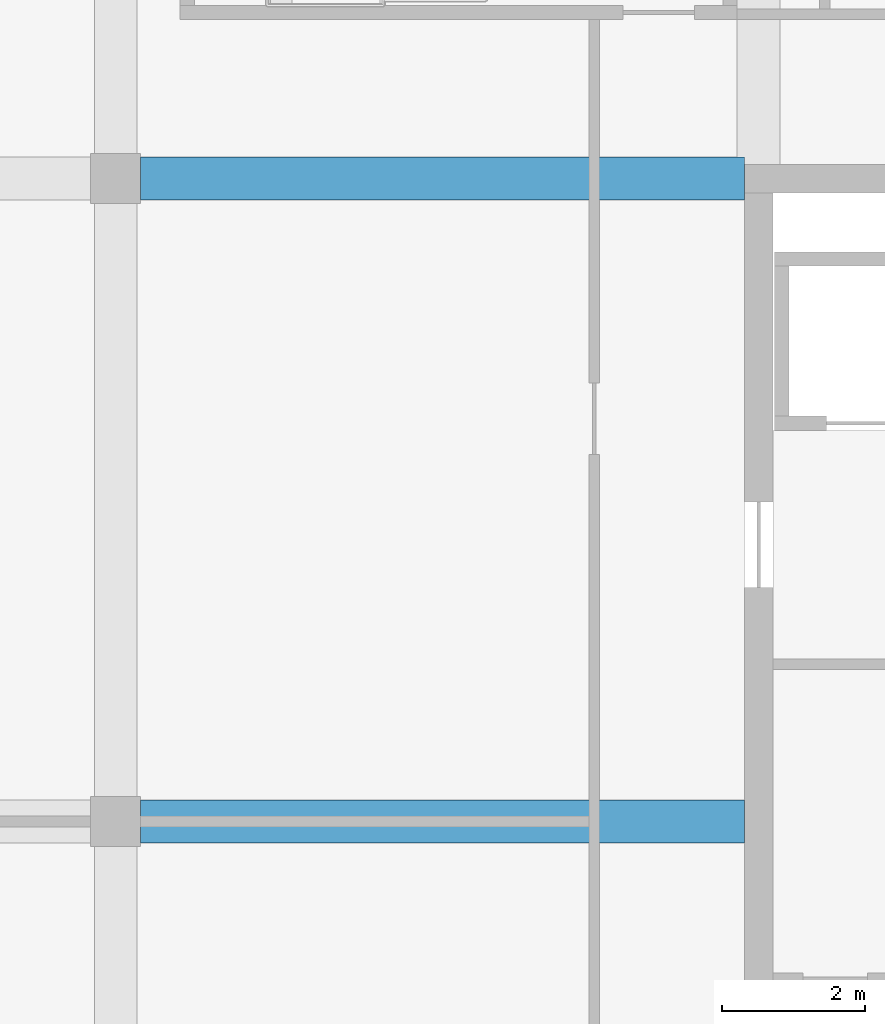
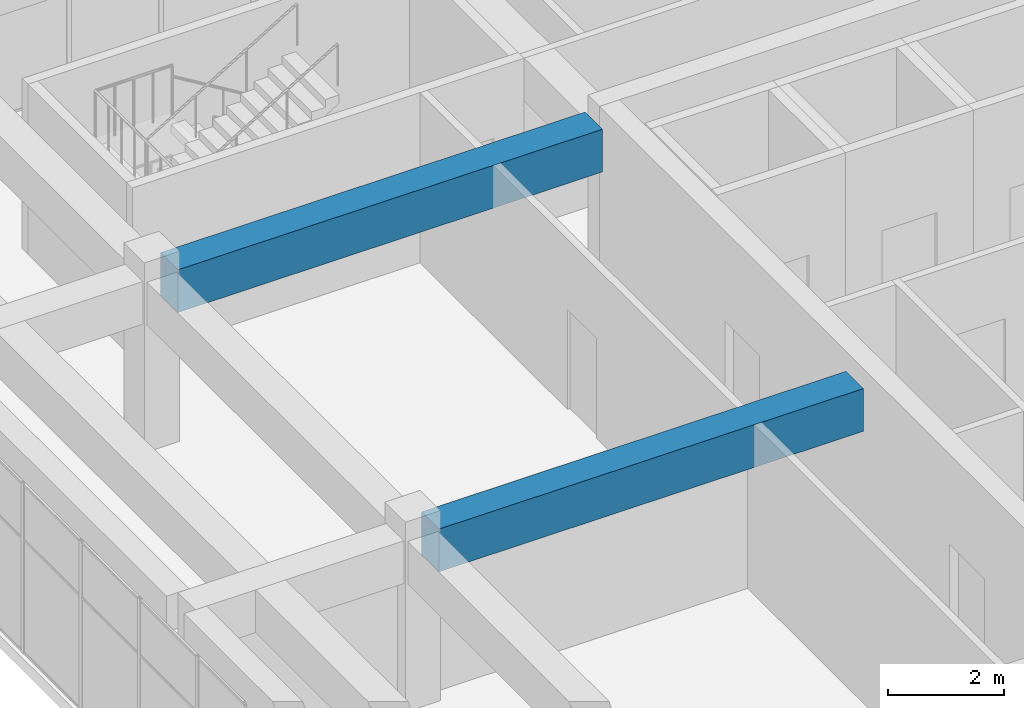
# One storey, part 10 of 32: 2 beams.
"""IFC4 building model written with IfcOpenShell, lengths in metres."""

from ifc_helpers import new_model, si_unit, direction, frame, origin, origin_2d, place, context, subcontext, project, spatial, rectangle, extrude, material, material_profile, profile_set, type_object, element, save


model = new_model("IFC4")

# Units and contexts
model_context = context("Model", 3, precision=1e-05, world=origin(), true_north=direction((0.0, 1.0)))
body_context = subcontext(model_context, "Body", "Model", "MODEL_VIEW")
ifc_project = project(units=[si_unit("LENGTHUNIT", "METRE"), si_unit("AREAUNIT", "SQUARE_METRE"), si_unit("VOLUMEUNIT", "CUBIC_METRE"), si_unit("PLANEANGLEUNIT", "RADIAN"), si_unit("MASSUNIT", "GRAM", prefix="KILO")], contexts=[model_context])

# Site, building, storey
site_placement = place(None, origin())
site = spatial("IfcSite", under=ifc_project, at=site_placement, CompositionType="ELEMENT")
building_placement = place(site_placement, origin())
building = spatial("IfcBuilding", under=site, at=building_placement, Name="Tuart Plaza Theatre", CompositionType="ELEMENT")
storey_placement = place(building_placement, frame((0.0, 0.0, 37.5)))
storey = spatial("IfcBuildingStorey", under=building, at=storey_placement, Name="L09", CompositionType="ELEMENT", Elevation=37.5)

# Beams
ifc_material = material(Name="Concrete N40 (40 MPa)", Category="concrete")
ifc_material_profile = material_profile(ifc_material, rectangle(XDim=0.60009765625, YDim=0.89990234375, at=origin_2d()), Name="BEAM 600x900 Concrete N40 (40 MPa)")
ifc_profile_set = profile_set([ifc_material_profile], Name="Concrete N40 (40 MPa)")
beam_type = type_object("IfcBeamType", Name="BEAM 600x900 Concrete N40 (40 MPa)", PredefinedType="BEAM", material=ifc_profile_set)
for number, where, z_axis, x_axis, name in (
    (1, (114.35009765625, 74.0, 3.1298828125), (1.0, 0.0, 0.0), (0.0, 1.0, 0.0), "RB260"),
    (2, (114.35009765625, 83.0, 3.1298828125), (1.0, 0.0, 0.0), (0.0, 1.0, 0.0), "RB262"),
):
    element("IfcBeam", number, at=place(storey_placement, frame(where, z_axis=z_axis, x_axis=x_axis)), inside=storey, type_object=beam_type, Name=name, PredefinedType="BEAM", context=body_context, shape_type="SweptSolid", body=[
        extrude(rectangle(XDim=0.60009765625, YDim=0.89990234375, at=origin_2d()), origin(), (0.0, 0.0, 1.0), 8.449951171875),
    ])

save(model, "model.ifc")
